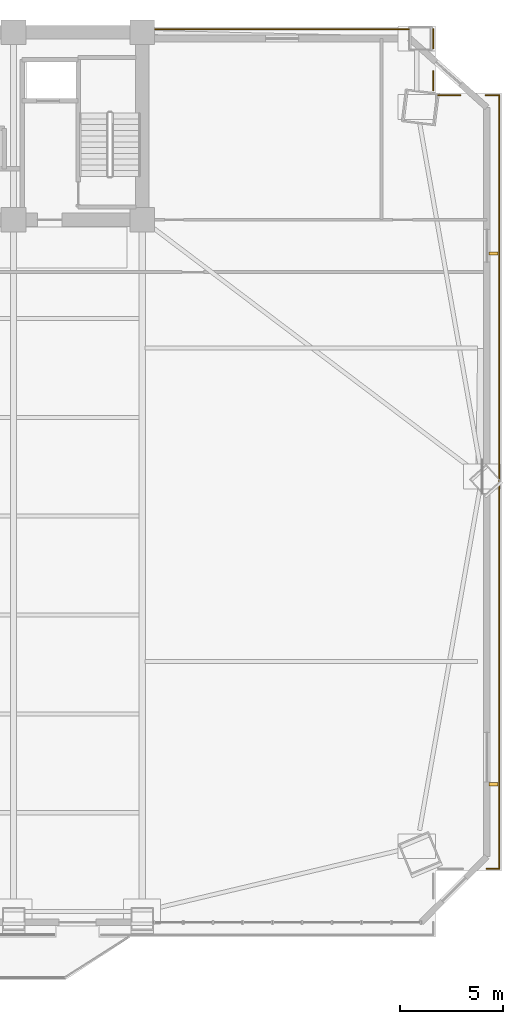
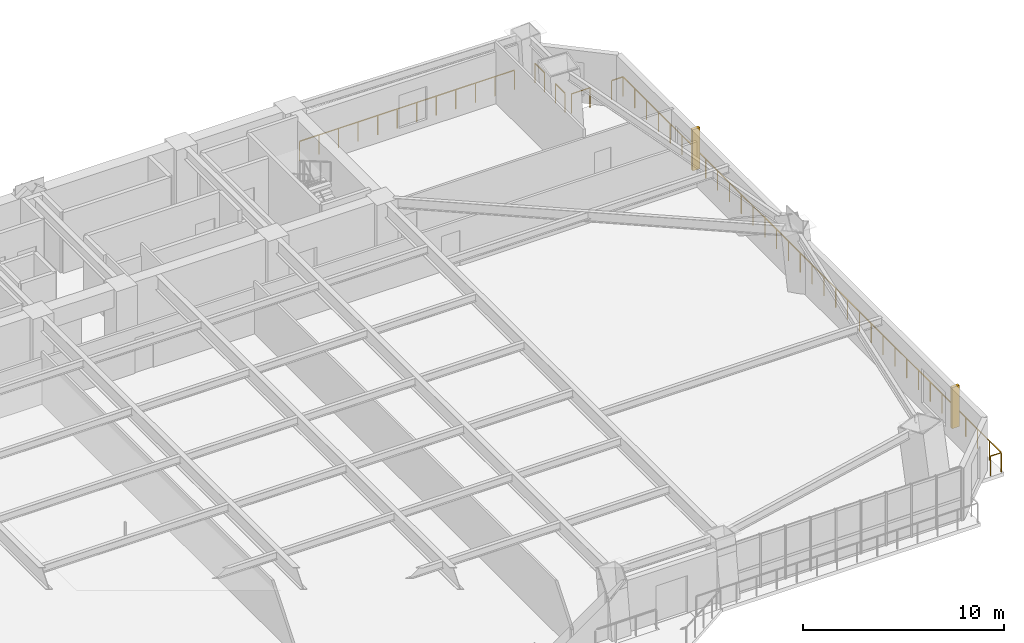
# One storey, part 17 of 17: 7 railings, 2 shading devices.
"""IFC4 building model written with IfcOpenShell, lengths in metres."""

from ifc_helpers import new_model, si_unit, direction, frame, origin, origin_2d, place, context, subcontext, project, spatial, rectangle, extrude, source, transform, mapped, material, type_object, element, save


model = new_model("IFC4")

# Units and contexts
model_context = context("Model", 3, precision=1e-05, world=origin(), true_north=direction((0.0, 1.0)))
body_context = subcontext(model_context, "Body", "Model", "MODEL_VIEW")
ifc_project = project(units=[si_unit("LENGTHUNIT", "METRE"), si_unit("AREAUNIT", "SQUARE_METRE"), si_unit("VOLUMEUNIT", "CUBIC_METRE"), si_unit("PLANEANGLEUNIT", "RADIAN"), si_unit("MASSUNIT", "GRAM", prefix="KILO")], contexts=[model_context])

# Site, building, storey
site_placement = place(None, origin())
site = spatial("IfcSite", under=ifc_project, at=site_placement, CompositionType="ELEMENT")
building_placement = place(site_placement, origin())
building = spatial("IfcBuilding", under=site, at=building_placement, Name="Giltprow Tower", CompositionType="ELEMENT")
storey_placement = place(building_placement, frame((0.0, 0.0, 33.199951171875)))
storey = spatial("IfcBuildingStorey", under=building, at=storey_placement, Name="L08", CompositionType="ELEMENT", Elevation=33.199951171875)

# Railings
ifc_material = material(Name="Anodized bronze", Category="metal")
railing_type = type_object("IfcRailingType", Name="RAIL-BALC-GUARD-1200", PredefinedType="BALUSTRADE", material=ifc_material)
railing_1_placement = place(storey_placement, frame((51.18505859375, 46.699951171875, 0.0)))
element("IfcRailing", 1, at=railing_1_placement, inside=storey, type_object=railing_type, Name="L08 Corner Apron Edge Balustrade 11", PredefinedType="BALUSTRADE", context=body_context, shape_type="SweptSolid", body=[
    extrude(rectangle(XDim=0.048095703125, YDim=0.048095703125, at=origin_2d()), frame((0.0, 0.0, 1.17578125), z_axis=(1.0, 0.0, 0.0), x_axis=(0.0, 1.0, 0.0)), (0.0, 0.0, 1.0), 12.329833984375),
    extrude(rectangle(XDim=0.0419921875, YDim=0.0419921875, at=origin_2d()), origin(), (0.0, 0.0, 1.0), 1.15185546875),
    extrude(rectangle(XDim=0.0419921875, YDim=0.0419921875, at=origin_2d()), frame((1.120849609375, 0.0, 0.0)), (0.0, 0.0, 1.0), 1.15185546875),
    extrude(rectangle(XDim=0.0419921875, YDim=0.0419921875, at=origin_2d()), frame((2.24169921875, 0.0, 0.0)), (0.0, 0.0, 1.0), 1.15185546875),
    extrude(rectangle(XDim=0.0419921875, YDim=0.0419921875, at=origin_2d()), frame((3.36279296875, 0.0, 0.0)), (0.0, 0.0, 1.0), 1.15185546875),
    extrude(rectangle(XDim=0.0419921875, YDim=0.0419921875, at=origin_2d()), frame((4.483642578125, 0.0, 0.0)), (0.0, 0.0, 1.0), 1.15185546875),
    extrude(rectangle(XDim=0.0419921875, YDim=0.0419921875, at=origin_2d()), frame((5.6044921875, 0.0, 0.0)), (0.0, 0.0, 1.0), 1.15185546875),
    extrude(rectangle(XDim=0.0419921875, YDim=0.0419921875, at=origin_2d()), frame((6.725341796875, 0.0, 0.0)), (0.0, 0.0, 1.0), 1.15185546875),
    extrude(rectangle(XDim=0.0419921875, YDim=0.0419921875, at=origin_2d()), frame((7.84619140625, 0.0, 0.0)), (0.0, 0.0, 1.0), 1.15185546875),
    extrude(rectangle(XDim=0.0419921875, YDim=0.0419921875, at=origin_2d()), frame((8.967041015625, 0.0, 0.0)), (0.0, 0.0, 1.0), 1.15185546875),
    extrude(rectangle(XDim=0.0419921875, YDim=0.0419921875, at=origin_2d()), frame((10.088134765625, 0.0, 0.0)), (0.0, 0.0, 1.0), 1.15185546875),
    extrude(rectangle(XDim=0.0419921875, YDim=0.0419921875, at=origin_2d()), frame((11.208984375, 0.0, 0.0)), (0.0, 0.0, 1.0), 1.15185546875),
    extrude(rectangle(XDim=0.0419921875, YDim=0.0419921875, at=origin_2d()), frame((12.329833984375, 0.0, 0.0)), (0.0, 0.0, 1.0), 1.15185546875),
])
railing_2_placement = place(storey_placement, frame((64.699951171875, 46.699951171875, 0.0)))
element("IfcRailing", 2, at=railing_2_placement, inside=storey, type_object=railing_type, Name="L08 Corner Apron Edge Balustrade 12", PredefinedType="BALUSTRADE", context=body_context, shape_type="SweptSolid", body=[
    extrude(rectangle(XDim=0.048095703125, YDim=0.048095703125, at=origin_2d()), frame((0.0, 0.0, 1.17578125), z_axis=(0.0, -1.0, 0.0), x_axis=(1.0, 0.0, 0.0)), (0.0, 0.0, 1.0), 0.927978515625),
    extrude(rectangle(XDim=0.0419921875, YDim=0.0419921875, at=origin_2d()), origin(), (0.0, 0.0, 1.0), 1.15185546875),
    extrude(rectangle(XDim=0.0419921875, YDim=0.0419921875, at=origin_2d()), frame((0.0, -0.927978515625, 0.0)), (0.0, 0.0, 1.0), 1.15185546875),
])
railing_3_placement = place(storey_placement, frame((64.699951171875, 44.673095703125, 0.0)))
element("IfcRailing", 3, at=railing_3_placement, inside=storey, type_object=railing_type, Name="L08 Corner Apron Edge Balustrade 13", PredefinedType="BALUSTRADE", context=body_context, shape_type="SweptSolid", body=[
    extrude(rectangle(XDim=0.048095703125, YDim=0.048095703125, at=origin_2d()), frame((0.0, 0.0, 1.17578125), z_axis=(0.0, -1.0, 0.0), x_axis=(1.0, 0.0, 0.0)), (0.0, 0.0, 1.0), 0.93798828125),
    extrude(rectangle(XDim=0.0419921875, YDim=0.0419921875, at=origin_2d()), origin(), (0.0, 0.0, 1.0), 1.15185546875),
    extrude(rectangle(XDim=0.0419921875, YDim=0.0419921875, at=origin_2d()), frame((0.0, -0.93798828125, 0.0)), (0.0, 0.0, 1.0), 1.15185546875),
])
railing_4_placement = place(storey_placement, frame((64.93505859375, 43.5, 0.0)))
element("IfcRailing", 4, at=railing_4_placement, inside=storey, type_object=railing_type, Name="L08 Corner Apron Edge Balustrade 14", PredefinedType="BALUSTRADE", context=body_context, shape_type="SweptSolid", body=[
    extrude(rectangle(XDim=0.048095703125, YDim=0.048095703125, at=origin_2d()), frame((0.0, 0.0, 1.17578125), z_axis=(1.0, 0.0, 0.0), x_axis=(0.0, 1.0, 0.0)), (0.0, 0.0, 1.0), 1.077880859375),
    extrude(rectangle(XDim=0.0419921875, YDim=0.0419921875, at=origin_2d()), origin(), (0.0, 0.0, 1.0), 1.15185546875),
    extrude(rectangle(XDim=0.0419921875, YDim=0.0419921875, at=origin_2d()), frame((1.077880859375, 0.0, 0.0)), (0.0, 0.0, 1.0), 1.15185546875),
])
railing_5_placement = place(storey_placement, frame((67.243896484375, 43.5, 0.0)))
element("IfcRailing", 5, at=railing_5_placement, inside=storey, type_object=railing_type, Name="L08 Corner Apron Edge Balustrade 15", PredefinedType="BALUSTRADE", context=body_context, shape_type="SweptSolid", body=[
    extrude(rectangle(XDim=0.048095703125, YDim=0.048095703125, at=origin_2d()), frame((0.0, 0.0, 1.17578125), z_axis=(1.0, 0.0, 0.0), x_axis=(0.0, 1.0, 0.0)), (0.0, 0.0, 1.0), 0.656005859375),
    extrude(rectangle(XDim=0.0419921875, YDim=0.0419921875, at=origin_2d()), origin(), (0.0, 0.0, 1.0), 1.15185546875),
    extrude(rectangle(XDim=0.0419921875, YDim=0.0419921875, at=origin_2d()), frame((0.656005859375, 0.0, 0.0)), (0.0, 0.0, 1.0), 1.15185546875),
])
railing_6_placement = place(storey_placement, frame((67.89990234375, 43.5, 0.0)))
element("IfcRailing", 6, at=railing_6_placement, inside=storey, type_object=railing_type, Name="L08 Corner Apron Edge Balustrade 16", PredefinedType="BALUSTRADE", context=body_context, shape_type="SweptSolid", body=[
    extrude(rectangle(XDim=0.048095703125, YDim=0.048095703125, at=origin_2d()), frame((0.0, 0.0, 1.17578125), z_axis=(0.0, -1.0, 0.0), x_axis=(1.0, 0.0, 0.0)), (0.0, 0.0, 1.0), 37.60009765625),
    extrude(rectangle(XDim=0.0419921875, YDim=0.0419921875, at=origin_2d()), origin(), (0.0, 0.0, 1.0), 1.15185546875),
    extrude(rectangle(XDim=0.0419921875, YDim=0.0419921875, at=origin_2d()), frame((0.0, -1.175048828125, 0.0)), (0.0, 0.0, 1.0), 1.15185546875),
    extrude(rectangle(XDim=0.0419921875, YDim=0.0419921875, at=origin_2d()), frame((0.0, -2.35009765625, 0.0)), (0.0, 0.0, 1.0), 1.15185546875),
    extrude(rectangle(XDim=0.0419921875, YDim=0.0419921875, at=origin_2d()), frame((0.0, -3.52490234375, 0.0)), (0.0, 0.0, 1.0), 1.15185546875),
    extrude(rectangle(XDim=0.0419921875, YDim=0.0419921875, at=origin_2d()), frame((0.0, -4.699951171875, 0.0)), (0.0, 0.0, 1.0), 1.15185546875),
    extrude(rectangle(XDim=0.0419921875, YDim=0.0419921875, at=origin_2d()), frame((0.0, -5.875, 0.0)), (0.0, 0.0, 1.0), 1.15185546875),
    extrude(rectangle(XDim=0.0419921875, YDim=0.0419921875, at=origin_2d()), frame((0.0, -7.050048828125, 0.0)), (0.0, 0.0, 1.0), 1.15185546875),
    extrude(rectangle(XDim=0.0419921875, YDim=0.0419921875, at=origin_2d()), frame((0.0, -8.22509765625, 0.0)), (0.0, 0.0, 1.0), 1.15185546875),
    extrude(rectangle(XDim=0.0419921875, YDim=0.0419921875, at=origin_2d()), frame((0.0, -9.39990234375, 0.0)), (0.0, 0.0, 1.0), 1.15185546875),
    extrude(rectangle(XDim=0.0419921875, YDim=0.0419921875, at=origin_2d()), frame((0.0, -10.574951171875, 0.0)), (0.0, 0.0, 1.0), 1.15185546875),
    extrude(rectangle(XDim=0.0419921875, YDim=0.0419921875, at=origin_2d()), frame((0.0, -11.75, 0.0)), (0.0, 0.0, 1.0), 1.15185546875),
    extrude(rectangle(XDim=0.0419921875, YDim=0.0419921875, at=origin_2d()), frame((0.0, -12.925048828125, 0.0)), (0.0, 0.0, 1.0), 1.15185546875),
    extrude(rectangle(XDim=0.0419921875, YDim=0.0419921875, at=origin_2d()), frame((0.0, -14.10009765625, 0.0)), (0.0, 0.0, 1.0), 1.15185546875),
    extrude(rectangle(XDim=0.0419921875, YDim=0.0419921875, at=origin_2d()), frame((0.0, -15.275146484375, 0.0)), (0.0, 0.0, 1.0), 1.15185546875),
    extrude(rectangle(XDim=0.0419921875, YDim=0.0419921875, at=origin_2d()), frame((0.0, -16.449951171875, 0.0)), (0.0, 0.0, 1.0), 1.15185546875),
    extrude(rectangle(XDim=0.0419921875, YDim=0.0419921875, at=origin_2d()), frame((0.0, -17.625, 0.0)), (0.0, 0.0, 1.0), 1.15185546875),
    extrude(rectangle(XDim=0.0419921875, YDim=0.0419921875, at=origin_2d()), frame((0.0, -18.800048828125, 0.0)), (0.0, 0.0, 1.0), 1.15185546875),
    extrude(rectangle(XDim=0.0419921875, YDim=0.0419921875, at=origin_2d()), frame((0.0, -19.97509765625, 0.0)), (0.0, 0.0, 1.0), 1.15185546875),
    extrude(rectangle(XDim=0.0419921875, YDim=0.0419921875, at=origin_2d()), frame((0.0, -21.150146484375, 0.0)), (0.0, 0.0, 1.0), 1.15185546875),
    extrude(rectangle(XDim=0.0419921875, YDim=0.0419921875, at=origin_2d()), frame((0.0, -22.324951171875, 0.0)), (0.0, 0.0, 1.0), 1.15185546875),
    extrude(rectangle(XDim=0.0419921875, YDim=0.0419921875, at=origin_2d()), frame((0.0, -23.5, 0.0)), (0.0, 0.0, 1.0), 1.15185546875),
    extrude(rectangle(XDim=0.0419921875, YDim=0.0419921875, at=origin_2d()), frame((0.0, -24.675048828125, 0.0)), (0.0, 0.0, 1.0), 1.15185546875),
    extrude(rectangle(XDim=0.0419921875, YDim=0.0419921875, at=origin_2d()), frame((0.0, -25.85009765625, 0.0)), (0.0, 0.0, 1.0), 1.15185546875),
    extrude(rectangle(XDim=0.0419921875, YDim=0.0419921875, at=origin_2d()), frame((0.0, -27.025146484375, 0.0)), (0.0, 0.0, 1.0), 1.15185546875),
    extrude(rectangle(XDim=0.0419921875, YDim=0.0419921875, at=origin_2d()), frame((0.0, -28.2001953125, 0.0)), (0.0, 0.0, 1.0), 1.15185546875),
    extrude(rectangle(XDim=0.0419921875, YDim=0.0419921875, at=origin_2d()), frame((0.0, -29.375, 0.0)), (0.0, 0.0, 1.0), 1.15185546875),
    extrude(rectangle(XDim=0.0419921875, YDim=0.0419921875, at=origin_2d()), frame((0.0, -30.550048828125, 0.0)), (0.0, 0.0, 1.0), 1.15185546875),
    extrude(rectangle(XDim=0.0419921875, YDim=0.0419921875, at=origin_2d()), frame((0.0, -31.72509765625, 0.0)), (0.0, 0.0, 1.0), 1.15185546875),
    extrude(rectangle(XDim=0.0419921875, YDim=0.0419921875, at=origin_2d()), frame((0.0, -32.900146484375, 0.0)), (0.0, 0.0, 1.0), 1.15185546875),
    extrude(rectangle(XDim=0.0419921875, YDim=0.0419921875, at=origin_2d()), frame((0.0, -34.0751953125, 0.0)), (0.0, 0.0, 1.0), 1.15185546875),
    extrude(rectangle(XDim=0.0419921875, YDim=0.0419921875, at=origin_2d()), frame((0.0, -35.25, 0.0)), (0.0, 0.0, 1.0), 1.15185546875),
    extrude(rectangle(XDim=0.0419921875, YDim=0.0419921875, at=origin_2d()), frame((0.0, -36.425048828125, 0.0)), (0.0, 0.0, 1.0), 1.15185546875),
    extrude(rectangle(XDim=0.0419921875, YDim=0.0419921875, at=origin_2d()), frame((0.0, -37.60009765625, 0.0)), (0.0, 0.0, 1.0), 1.15185546875),
])
railing_7_placement = place(storey_placement, frame((67.89990234375, 5.89990234375, 0.0)))
element("IfcRailing", 7, at=railing_7_placement, inside=storey, type_object=railing_type, Name="L08 Corner Apron Edge Balustrade 17", PredefinedType="BALUSTRADE", context=body_context, shape_type="SweptSolid", body=[
    extrude(rectangle(XDim=0.048095703125, YDim=0.048095703125, at=origin_2d()), frame((0.0, 0.0, 1.17578125), z_axis=(-1.0, 0.0, 0.0), x_axis=(0.0, -1.0, 0.0)), (0.0, 0.0, 1.0), 0.619873046875),
    extrude(rectangle(XDim=0.0419921875, YDim=0.0419921875, at=origin_2d()), origin(), (0.0, 0.0, 1.0), 1.15185546875),
    extrude(rectangle(XDim=0.0419921875, YDim=0.0419921875, at=origin_2d()), frame((-0.619873046875, 0.0, 0.0)), (0.0, 0.0, 1.0), 1.15185546875),
])

# Shading devices
shading_device_type = type_object("IfcShadingDeviceType", Name="SHD-FIN-420", PredefinedType="USERDEFINED", material=ifc_material)
shared_shape = source(origin(), body_context, "Body", "SweptSolid", [
    extrude(rectangle(XDim=0.419921875, YDim=0.159912109375, at=origin_2d()), origin(), (0.0, 0.0, 1.0), 2.5),
])
for number, where, z_axis, x_axis, name in (
    (8, (67.6201171875, 10.009033203125, 0.35009765625), (0.0, 0.0, 1.0), (1.0, 0.0, 0.0), "L08 E Bronze Vertical Fin 1-1"),
    (9, (67.6201171875, 35.801025390625, 0.35009765625), (0.0, 0.0, 1.0), (1.0, 0.0, 0.0), "L08 E Bronze Vertical Fin 2-1"),
):
    element("IfcShadingDevice", number, at=place(storey_placement, frame(where, z_axis=z_axis, x_axis=x_axis)), inside=storey, type_object=shading_device_type, Name=name, ObjectType="FIN", PredefinedType="USERDEFINED", context=body_context, shape_type="MappedRepresentation", body=[
        mapped(shared_shape, transform((0.0, 0.0, 0.0), x_axis=(1.0, 0.0, 0.0), y_axis=(0.0, 1.0, 0.0), z_axis=(0.0, 0.0, 1.0), scale=1.0)),
    ])

save(model, "model.ifc")
